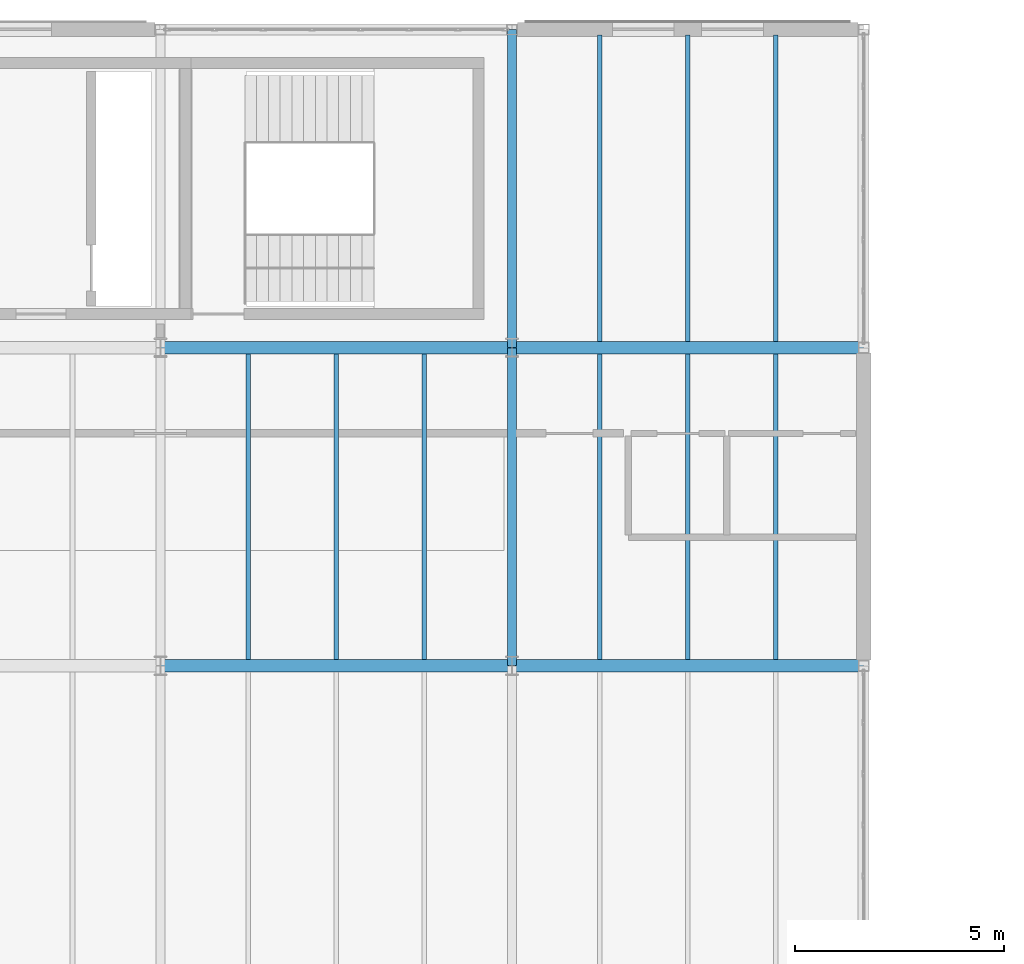
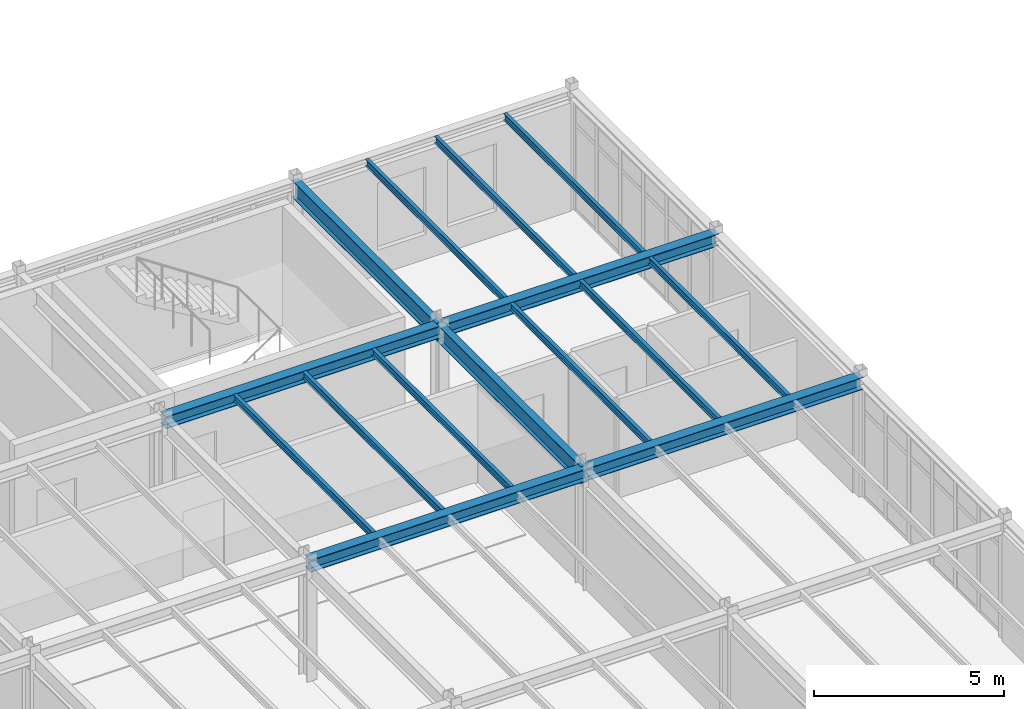
# One storey, part 104 of 189: 15 beams.
"""IFC4 building model written with IfcOpenShell, lengths in metres."""

from ifc_helpers import new_model, si_unit, direction, frame, origin, origin_2d, place, context, subcontext, project, spatial, i_section, extrude, material, material_profile, profile_set, type_object, element, save


model = new_model("IFC4")

# Units and contexts
model_context = context("Model", 3, precision=1e-05, world=origin(), true_north=direction((0.0, 1.0)))
body_context = subcontext(model_context, "Body", "Model", "MODEL_VIEW")
ifc_project = project(units=[si_unit("LENGTHUNIT", "METRE"), si_unit("AREAUNIT", "SQUARE_METRE"), si_unit("VOLUMEUNIT", "CUBIC_METRE"), si_unit("PLANEANGLEUNIT", "RADIAN"), si_unit("MASSUNIT", "GRAM", prefix="KILO")], contexts=[model_context])

# Site, building, storey
site_placement = place(None, origin())
site = spatial("IfcSite", under=ifc_project, at=site_placement, CompositionType="ELEMENT")
building_placement = place(site_placement, origin())
building = spatial("IfcBuilding", under=site, at=building_placement, Name="Montecoro Central Library", CompositionType="ELEMENT")
storey_placement = place(building_placement, frame((0.0, 0.0, 9.179931640625)))
storey = spatial("IfcBuildingStorey", under=building, at=storey_placement, Name="L02", CompositionType="ELEMENT", Elevation=9.179931640625)

# Beams
ifc_material_1 = material(Name="Steel S355", Category="steel")
ifc_material_profile_1 = material_profile(ifc_material_1, i_section(OverallWidth=0.300048828125, OverallDepth=0.389892578125, WebThickness=0.010986328125, FlangeThickness=0.01904296875, at=origin_2d()), Name="HEA 400")
ifc_profile_set_1 = profile_set([ifc_material_profile_1], Name="Steel S355")
beam_type_1 = type_object("IfcBeamType", Name="BM-G-HEA400", PredefinedType="USERDEFINED", material=ifc_profile_set_1)
beam_1_placement = place(storey_placement, frame((100.0048828125, 103.800048828125, 3.630126953125), z_axis=(1.0, 0.0, 0.0), x_axis=(0.0, 1.0, 0.0)))
element("IfcBeam", 1, at=beam_1_placement, inside=storey, type_object=beam_type_1, Name="V2-L02-BX-1314-P", ObjectType="GIRDER", PredefinedType="USERDEFINED", context=body_context, shape_type="SweptSolid", body=[
    extrude(i_section(OverallWidth=0.300048828125, OverallDepth=0.389892578125, WebThickness=0.010986328125, FlangeThickness=0.01904296875, at=origin_2d()), origin(), (0.0, 0.0, 1.0), 8.39013671875),
])
beam_2_placement = place(storey_placement, frame((108.405029296875, 103.800048828125, 3.630126953125), z_axis=(1.0, 0.0, 0.0), x_axis=(0.0, 1.0, 0.0)))
element("IfcBeam", 2, at=beam_2_placement, inside=storey, type_object=beam_type_1, Name="V2-L02-BX-1415-P", ObjectType="GIRDER", PredefinedType="USERDEFINED", context=body_context, shape_type="SweptSolid", body=[
    extrude(i_section(OverallWidth=0.300048828125, OverallDepth=0.389892578125, WebThickness=0.010986328125, FlangeThickness=0.01904296875, at=origin_2d()), origin(), (0.0, 0.0, 1.0), 8.389892578125),
])
beam_3_placement = place(storey_placement, frame((100.0048828125, 111.39990234375, 3.630126953125), z_axis=(1.0, 0.0, 0.0), x_axis=(0.0, 1.0, 0.0)))
element("IfcBeam", 3, at=beam_3_placement, inside=storey, type_object=beam_type_1, Name="V2-L02-BX-1314-Q", ObjectType="GIRDER", PredefinedType="USERDEFINED", context=body_context, shape_type="SweptSolid", body=[
    extrude(i_section(OverallWidth=0.300048828125, OverallDepth=0.389892578125, WebThickness=0.010986328125, FlangeThickness=0.01904296875, at=origin_2d()), origin(), (0.0, 0.0, 1.0), 8.39013671875),
])
beam_4_placement = place(storey_placement, frame((108.405029296875, 111.39990234375, 3.630126953125), z_axis=(1.0, 0.0, 0.0), x_axis=(0.0, 1.0, 0.0)))
element("IfcBeam", 4, at=beam_4_placement, inside=storey, type_object=beam_type_1, Name="V2-L02-BX-1415-Q", ObjectType="GIRDER", PredefinedType="USERDEFINED", context=body_context, shape_type="SweptSolid", body=[
    extrude(i_section(OverallWidth=0.300048828125, OverallDepth=0.389892578125, WebThickness=0.010986328125, FlangeThickness=0.01904296875, at=origin_2d()), origin(), (0.0, 0.0, 1.0), 8.389892578125),
])
ifc_material_2 = material(Name="Steel S355J2", Category="steel")
ifc_material_profile_2 = material_profile(ifc_material_2, i_section(OverallWidth=0.2099609375, OverallDepth=0.550048828125, WebThickness=0.010986328125, FlangeThickness=0.01708984375, at=origin_2d()), Name="IPE 550")
ifc_profile_set_2 = profile_set([ifc_material_profile_2], Name="Steel S355J2")
beam_type_2 = type_object("IfcBeamType", Name="BM-G-IPE550", PredefinedType="USERDEFINED", material=ifc_profile_set_2)
for number, where, z_axis, x_axis, name in (
    (5, (108.39990234375, 103.804931640625, 3.550048828125), (0.0, 1.0, 0.0), (-1.0, 0.0, 0.0), "V2-L02-BY-14-PQ"),
    (6, (108.39990234375, 111.405029296875, 3.550048828125), (0.0, 1.0, 0.0), (-1.0, 0.0, 0.0), "V2-L02-BY-14-QR"),
):
    element("IfcBeam", number, at=place(storey_placement, frame(where, z_axis=z_axis, x_axis=x_axis)), inside=storey, type_object=beam_type_2, Name=name, ObjectType="GIRDER", PredefinedType="USERDEFINED", context=body_context, shape_type="SweptSolid", body=[
        extrude(i_section(OverallWidth=0.2099609375, OverallDepth=0.550048828125, WebThickness=0.010986328125, FlangeThickness=0.01708984375, at=origin_2d()), origin(), (0.0, 0.0, 1.0), 7.590087890625),
    ])
ifc_material_profile_3 = material_profile(ifc_material_1, i_section(OverallWidth=0.110107421875, OverallDepth=0.219970703125, WebThickness=0.005859375, FlangeThickness=0.00927734375, at=origin_2d()), Name="IPE 220")
ifc_profile_set_3 = profile_set([ifc_material_profile_3], Name="Steel S355")
beam_type_3 = type_object("IfcBeamType", Name="BM-J-IPE220", PredefinedType="JOIST", material=ifc_profile_set_3)
for number, where, z_axis, x_axis, name in (
    (7, (102.10009765625, 103.947021484375, 3.715087890625), (0.0, 1.0, 0.0), (-1.0, 0.0, 0.0), "V2-L02-JS-1314-PQ-1"),
    (8, (104.199951171875, 103.947021484375, 3.715087890625), (0.0, 1.0, 0.0), (-1.0, 0.0, 0.0), "V2-L02-JS-1314-PQ-2"),
    (9, (106.300048828125, 103.947021484375, 3.715087890625), (0.0, 1.0, 0.0), (-1.0, 0.0, 0.0), "V2-L02-JS-1314-PQ-3"),
    (10, (110.5, 103.947021484375, 3.715087890625), (0.0, 1.0, 0.0), (-1.0, 0.0, 0.0), "V2-L02-JS-1415-PQ-1"),
    (11, (112.60009765625, 103.947021484375, 3.715087890625), (0.0, 1.0, 0.0), (-1.0, 0.0, 0.0), "V2-L02-JS-1415-PQ-2"),
    (12, (114.699951171875, 103.947021484375, 3.715087890625), (0.0, 1.0, 0.0), (-1.0, 0.0, 0.0), "V2-L02-JS-1415-PQ-3"),
):
    element("IfcBeam", number, at=place(storey_placement, frame(where, z_axis=z_axis, x_axis=x_axis)), inside=storey, type_object=beam_type_3, Name=name, PredefinedType="JOIST", context=body_context, shape_type="SweptSolid", body=[
        extrude(i_section(OverallWidth=0.110107421875, OverallDepth=0.219970703125, WebThickness=0.005859375, FlangeThickness=0.00927734375, at=origin_2d()), origin(), (0.0, 0.0, 1.0), 7.305908203125),
    ])
for number, where, z_axis, x_axis, name in (
    (13, (110.5, 111.547119140625, 3.715087890625), (0.0, 1.0, 0.0), (-1.0, 0.0, 0.0), "V2-L02-JS-1415-QR-1"),
    (14, (112.60009765625, 111.547119140625, 3.715087890625), (0.0, 1.0, 0.0), (-1.0, 0.0, 0.0), "V2-L02-JS-1415-QR-2"),
    (15, (114.699951171875, 111.547119140625, 3.715087890625), (0.0, 1.0, 0.0), (-1.0, 0.0, 0.0), "V2-L02-JS-1415-QR-3"),
):
    element("IfcBeam", number, at=place(storey_placement, frame(where, z_axis=z_axis, x_axis=x_axis)), inside=storey, type_object=beam_type_3, Name=name, PredefinedType="JOIST", context=body_context, shape_type="SweptSolid", body=[
        extrude(i_section(OverallWidth=0.110107421875, OverallDepth=0.219970703125, WebThickness=0.005859375, FlangeThickness=0.00927734375, at=origin_2d()), origin(), (0.0, 0.0, 1.0), 7.325927734375),
    ])

save(model, "model.ifc")
